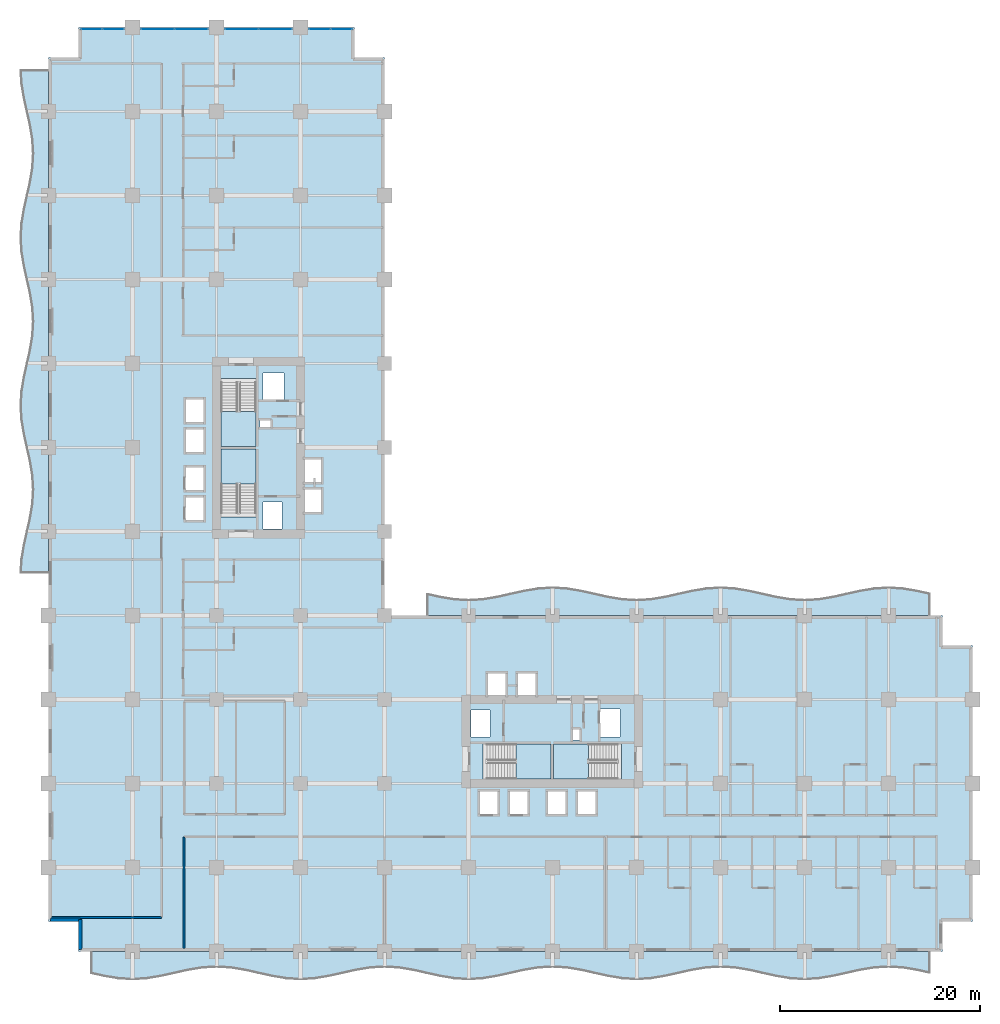
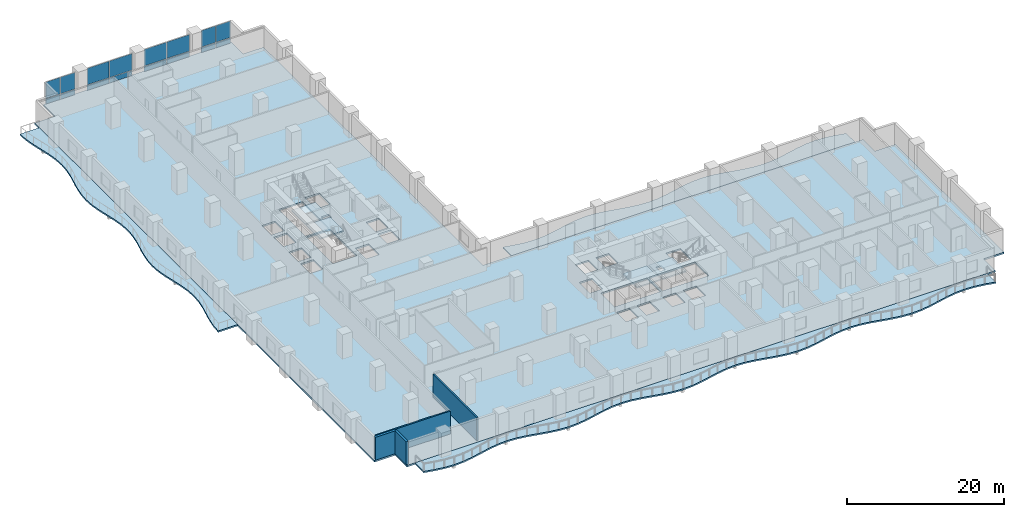
# One storey, part 6 of 21: 16 plates, 8 slabs, 4 walls, 8 elements without a shape of their own.
"""IFC4 building model written with IfcOpenShell, lengths in metres."""

from ifc_helpers import new_model, si_unit, direction, frame, frame_2d, origin, origin_2d, place, context, subcontext, project, spatial, polyline, rectangle, outline, extrude, material, layer, layer_set, type_object, element, aggregate, save


model = new_model("IFC4")

# Units and contexts
model_context = context("Model", 3, precision=1e-05, world=origin(), true_north=direction((0.0, 1.0)))
body_context = subcontext(model_context, "Body", "Model", "MODEL_VIEW")
ifc_project = project(units=[si_unit("LENGTHUNIT", "METRE"), si_unit("AREAUNIT", "SQUARE_METRE"), si_unit("VOLUMEUNIT", "CUBIC_METRE"), si_unit("PLANEANGLEUNIT", "RADIAN"), si_unit("MASSUNIT", "GRAM", prefix="KILO")], contexts=[model_context])

# Site, building, storey
site_placement = place(None, origin())
site = spatial("IfcSite", under=ifc_project, at=site_placement, CompositionType="ELEMENT")
building_placement = place(site_placement, origin())
building = spatial("IfcBuilding", under=site, at=building_placement, Name="Koriwani Terraces Tower", CompositionType="ELEMENT")
storey_placement = place(building_placement, frame((0.0, 0.0, 77.60009765625)))
storey = spatial("IfcBuildingStorey", under=building, at=storey_placement, Name="L18", CompositionType="ELEMENT", Elevation=77.60009765625)

# Curtain wall, plates
ifc_material_1 = material(Name="Anodised Bronze Aluminium", Category="aluminium")
ifc_layer_1 = layer(ifc_material_1, 0.179931640625, Name="Anodised Bronze Aluminium")
ifc_layer_set_1 = layer_set([ifc_layer_1], Name="Anodised Bronze Aluminium")
curtain_wall_type = type_object("IfcCurtainWallType", Name="CW_HOTEL_ZONE1", PredefinedType="NOTDEFINED", material=ifc_layer_set_1)
curtain_wall_1_placement = place(storey_placement, origin())
curtain_wall_1 = element("IfcCurtainWall", 1, at=curtain_wall_1_placement, inside=storey, type_object=curtain_wall_type, Name="L18 Unitised Curtain Wall (N_TIP) Bay 1", PredefinedType="NOTDEFINED")
ifc_material_2 = material(Name="Tempered Laminated Low-E Glass", Category="glass")
ifc_layer_2 = layer(ifc_material_2, 0.028076171875, Name="Tempered Laminated Low-E Glass")
ifc_layer_set_2 = layer_set([ifc_layer_2], Name="Tempered Laminated Low-E Glass")
plate_type = type_object("IfcPlateType", Name="CW_PANEL_VISION_28", PredefinedType="CURTAIN_PANEL", material=ifc_layer_set_2)
plate_1_placement = place(storey_placement, frame((4.297607421875, 92.22509765625, 0.06494140625), z_axis=(0.0, 0.0, 1.0), x_axis=(1.0, 0.0, 0.0)))
plate_1 = element("IfcPlate", 2, at=plate_1_placement, type_object=plate_type, Name="CW-Z1 panel 1.1", PredefinedType="CURTAIN_PANEL", context=body_context, shape_type="SweptSolid", body=[
    extrude(rectangle(XDim=2.094970703125, YDim=0.028076171875, at=origin_2d()), origin(), (0.0, 0.0, 1.0), 0.802490234375),
])
plate_2_placement = place(storey_placement, frame((4.297607421875, 92.22509765625, 0.9326171875), z_axis=(0.0, 0.0, 1.0), x_axis=(1.0, 0.0, 0.0)))
plate_2 = element("IfcPlate", 3, at=plate_2_placement, type_object=plate_type, Name="CW-Z1 panel 1.2", PredefinedType="CURTAIN_PANEL", context=body_context, shape_type="SweptSolid", body=[
    extrude(rectangle(XDim=2.094970703125, YDim=0.028076171875, at=origin_2d()), origin(), (0.0, 0.0, 1.0), 2.552490234375),
])
plate_3_placement = place(storey_placement, frame((6.467529296875, 92.22509765625, 0.06494140625), z_axis=(0.0, 0.0, 1.0), x_axis=(1.0, 0.0, 0.0)))
plate_3 = element("IfcPlate", 4, at=plate_3_placement, type_object=plate_type, Name="CW-Z1 panel 2.1", PredefinedType="CURTAIN_PANEL", context=body_context, shape_type="SweptSolid", body=[
    extrude(rectangle(XDim=2.094970703125, YDim=0.028076171875, at=origin_2d()), origin(), (0.0, 0.0, 1.0), 0.802490234375),
])
plate_4_placement = place(storey_placement, frame((6.467529296875, 92.22509765625, 0.9326171875), z_axis=(0.0, 0.0, 1.0), x_axis=(1.0, 0.0, 0.0)))
plate_4 = element("IfcPlate", 5, at=plate_4_placement, type_object=plate_type, Name="CW-Z1 panel 2.2", PredefinedType="CURTAIN_PANEL", context=body_context, shape_type="SweptSolid", body=[
    extrude(rectangle(XDim=2.094970703125, YDim=0.028076171875, at=origin_2d()), origin(), (0.0, 0.0, 1.0), 2.552490234375),
])
aggregate(curtain_wall_1, [plate_1, plate_2, plate_3, plate_4])

curtain_wall_2_placement = place(storey_placement, origin())
curtain_wall_2 = element("IfcCurtainWall", 6, at=curtain_wall_2_placement, inside=storey, type_object=curtain_wall_type, Name="L18 Unitised Curtain Wall (N_TIP) Bay 2", PredefinedType="NOTDEFINED")
plate_5_placement = place(storey_placement, frame((10.923828125, 92.22509765625, 0.06494140625), z_axis=(0.0, 0.0, 1.0), x_axis=(1.0, 0.0, 0.0)))
plate_5 = element("IfcPlate", 7, at=plate_5_placement, type_object=plate_type, Name="CW-Z1 panel 1.1", PredefinedType="CURTAIN_PANEL", context=body_context, shape_type="SweptSolid", body=[
    extrude(rectangle(XDim=3.277587890625, YDim=0.028076171875, at=origin_2d()), origin(), (0.0, 0.0, 1.0), 0.802490234375),
])
plate_6_placement = place(storey_placement, frame((10.923828125, 92.22509765625, 0.9326171875), z_axis=(0.0, 0.0, 1.0), x_axis=(1.0, 0.0, 0.0)))
plate_6 = element("IfcPlate", 8, at=plate_6_placement, type_object=plate_type, Name="CW-Z1 panel 1.2", PredefinedType="CURTAIN_PANEL", context=body_context, shape_type="SweptSolid", body=[
    extrude(rectangle(XDim=3.277587890625, YDim=0.028076171875, at=origin_2d()), origin(), (0.0, 0.0, 1.0), 2.552490234375),
])
plate_7_placement = place(storey_placement, frame((14.2763671875, 92.22509765625, 0.06494140625), z_axis=(0.0, 0.0, 1.0), x_axis=(1.0, 0.0, 0.0)))
plate_7 = element("IfcPlate", 9, at=plate_7_placement, type_object=plate_type, Name="CW-Z1 panel 2.1", PredefinedType="CURTAIN_PANEL", context=body_context, shape_type="SweptSolid", body=[
    extrude(rectangle(XDim=3.277587890625, YDim=0.028076171875, at=origin_2d()), origin(), (0.0, 0.0, 1.0), 0.802490234375),
])
plate_8_placement = place(storey_placement, frame((14.2763671875, 92.22509765625, 0.9326171875), z_axis=(0.0, 0.0, 1.0), x_axis=(1.0, 0.0, 0.0)))
plate_8 = element("IfcPlate", 10, at=plate_8_placement, type_object=plate_type, Name="CW-Z1 panel 2.2", PredefinedType="CURTAIN_PANEL", context=body_context, shape_type="SweptSolid", body=[
    extrude(rectangle(XDim=3.277587890625, YDim=0.028076171875, at=origin_2d()), origin(), (0.0, 0.0, 1.0), 2.552490234375),
])
aggregate(curtain_wall_2, [plate_5, plate_6, plate_7, plate_8])

curtain_wall_3_placement = place(storey_placement, origin())
curtain_wall_3 = element("IfcCurtainWall", 11, at=curtain_wall_3_placement, inside=storey, type_object=curtain_wall_type, Name="L18 Unitised Curtain Wall (N_TIP) Bay 3", PredefinedType="NOTDEFINED")
plate_9_placement = place(storey_placement, frame((19.32373046875, 92.22509765625, 0.06494140625), z_axis=(0.0, 0.0, 1.0), x_axis=(1.0, 0.0, 0.0)))
plate_9 = element("IfcPlate", 12, at=plate_9_placement, type_object=plate_type, Name="CW-Z1 panel 1.1", PredefinedType="CURTAIN_PANEL", context=body_context, shape_type="SweptSolid", body=[
    extrude(rectangle(XDim=3.277587890625, YDim=0.028076171875, at=origin_2d()), origin(), (0.0, 0.0, 1.0), 0.802490234375),
])
plate_10_placement = place(storey_placement, frame((19.32373046875, 92.22509765625, 0.9326171875), z_axis=(0.0, 0.0, 1.0), x_axis=(1.0, 0.0, 0.0)))
plate_10 = element("IfcPlate", 13, at=plate_10_placement, type_object=plate_type, Name="CW-Z1 panel 1.2", PredefinedType="CURTAIN_PANEL", context=body_context, shape_type="SweptSolid", body=[
    extrude(rectangle(XDim=3.277587890625, YDim=0.028076171875, at=origin_2d()), origin(), (0.0, 0.0, 1.0), 2.552490234375),
])
plate_11_placement = place(storey_placement, frame((22.67626953125, 92.22509765625, 0.06494140625), z_axis=(0.0, 0.0, 1.0), x_axis=(1.0, 0.0, 0.0)))
plate_11 = element("IfcPlate", 14, at=plate_11_placement, type_object=plate_type, Name="CW-Z1 panel 2.1", PredefinedType="CURTAIN_PANEL", context=body_context, shape_type="SweptSolid", body=[
    extrude(rectangle(XDim=3.277587890625, YDim=0.028076171875, at=origin_2d()), origin(), (0.0, 0.0, 1.0), 0.802490234375),
])
plate_12_placement = place(storey_placement, frame((22.67626953125, 92.22509765625, 0.9326171875), z_axis=(0.0, 0.0, 1.0), x_axis=(1.0, 0.0, 0.0)))
plate_12 = element("IfcPlate", 15, at=plate_12_placement, type_object=plate_type, Name="CW-Z1 panel 2.2", PredefinedType="CURTAIN_PANEL", context=body_context, shape_type="SweptSolid", body=[
    extrude(rectangle(XDim=3.277587890625, YDim=0.028076171875, at=origin_2d()), origin(), (0.0, 0.0, 1.0), 2.552490234375),
])
aggregate(curtain_wall_3, [plate_9, plate_10, plate_11, plate_12])

curtain_wall_4_placement = place(storey_placement, origin())
curtain_wall_4 = element("IfcCurtainWall", 16, at=curtain_wall_4_placement, inside=storey, type_object=curtain_wall_type, Name="L18 Unitised Curtain Wall (N_TIP) Bay 4", PredefinedType="NOTDEFINED")
plate_13_placement = place(storey_placement, frame((27.132568359375, 92.22509765625, 0.06494140625), z_axis=(0.0, 0.0, 1.0), x_axis=(1.0, 0.0, 0.0)))
plate_13 = element("IfcPlate", 17, at=plate_13_placement, type_object=plate_type, Name="CW-Z1 panel 1.1", PredefinedType="CURTAIN_PANEL", context=body_context, shape_type="SweptSolid", body=[
    extrude(rectangle(XDim=2.094970703125, YDim=0.028076171875, at=origin_2d()), origin(), (0.0, 0.0, 1.0), 0.802490234375),
])
plate_14_placement = place(storey_placement, frame((27.132568359375, 92.22509765625, 0.9326171875), z_axis=(0.0, 0.0, 1.0), x_axis=(1.0, 0.0, 0.0)))
plate_14 = element("IfcPlate", 18, at=plate_14_placement, type_object=plate_type, Name="CW-Z1 panel 1.2", PredefinedType="CURTAIN_PANEL", context=body_context, shape_type="SweptSolid", body=[
    extrude(rectangle(XDim=2.094970703125, YDim=0.028076171875, at=origin_2d()), origin(), (0.0, 0.0, 1.0), 2.552490234375),
])
plate_15_placement = place(storey_placement, frame((29.302490234375, 92.22509765625, 0.06494140625), z_axis=(0.0, 0.0, 1.0), x_axis=(1.0, 0.0, 0.0)))
plate_15 = element("IfcPlate", 19, at=plate_15_placement, type_object=plate_type, Name="CW-Z1 panel 2.1", PredefinedType="CURTAIN_PANEL", context=body_context, shape_type="SweptSolid", body=[
    extrude(rectangle(XDim=2.094970703125, YDim=0.028076171875, at=origin_2d()), origin(), (0.0, 0.0, 1.0), 0.802490234375),
])
plate_16_placement = place(storey_placement, frame((29.302490234375, 92.22509765625, 0.9326171875), z_axis=(0.0, 0.0, 1.0), x_axis=(1.0, 0.0, 0.0)))
plate_16 = element("IfcPlate", 20, at=plate_16_placement, type_object=plate_type, Name="CW-Z1 panel 2.2", PredefinedType="CURTAIN_PANEL", context=body_context, shape_type="SweptSolid", body=[
    extrude(rectangle(XDim=2.094970703125, YDim=0.028076171875, at=origin_2d()), origin(), (0.0, 0.0, 1.0), 2.552490234375),
])
aggregate(curtain_wall_4, [plate_13, plate_14, plate_15, plate_16])

# Slabs
ifc_material_3 = material(Name="Concrete C40/50", Category="concrete")
ifc_layer_3 = layer(ifc_material_3, 0.219970703125, Name="Concrete C40/50")
ifc_layer_set_3 = layer_set([ifc_layer_3], Name="Concrete C40/50")
slab_type_1 = type_object("IfcSlabType", Name="SLAB_BALCONY_220", PredefinedType="FLOOR", material=ifc_layer_set_3)
slab_1_placement = place(storey_placement, frame((0.0, 0.0, -0.22021484375)))
element("IfcSlab", 21, at=slab_1_placement, inside=storey, type_object=slab_type_1, Name="L18 Quilted Circular-Arc Balcony (S)", PredefinedType="FLOOR", context=body_context, shape_type="SweptSolid", body=[
    extrude(outline(polyline([(4.199951171875, 0.0), (5.60009765625, 0.0), (7.0, 0.0), (8.39990234375, 0.0), (9.800048828125, 0.0), (11.199951171875, 0.0), (12.60009765625, 0.0), (14.0, 0.0), (15.39990234375, 0.0), (16.800048828125, 0.0), (18.199951171875, 0.0), (19.60009765625, 0.0), (21.0, 0.0), (22.39990234375, 0.0), (23.800048828125, 0.0), (25.199951171875, 0.0), (26.60009765625, 0.0), (28.0, 0.0), (29.39990234375, 0.0), (30.800048828125, 0.0), (32.199951171875, 0.0), (33.60009765625, 0.0), (35.0, 0.0), (36.39990234375, 0.0), (37.800048828125, 0.0), (39.199951171875, 0.0), (40.60009765625, 0.0), (42.0, 0.0), (43.39990234375, 0.0), (44.800048828125, 0.0), (46.199951171875, 0.0), (47.60009765625, 0.0), (49.0, 0.0), (50.39990234375, 0.0), (51.800048828125, 0.0), (53.199951171875, 0.0), (54.60009765625, 0.0), (56.0, 0.0), (57.39990234375, 0.0), (58.800048828125, 0.0), (60.199951171875, 0.0), (61.60009765625, 0.0), (63.0, 0.0), (64.39990234375, 0.0), (65.800048828125, 0.0), (67.199951171875, 0.0), (68.60009765625, 0.0), (70.0, 0.0), (71.39990234375, 0.0), (72.800048828125, 0.0), (74.199951171875, 0.0), (75.60009765625, 0.0), (77.0, 0.0), (78.39990234375, 0.0), (79.800048828125, 0.0), (81.199951171875, 0.0), (82.60009765625, 0.0), (84.0, 0.0), (85.39990234375, 0.0), (86.800048828125, 0.0), (88.199951171875, 0.0), (88.199951171875, -2.22509765625), (86.800048828125, -1.91259765625), (85.39990234375, -1.68359375), (84.0, -1.60009765625), (82.60009765625, -1.68359375), (81.199951171875, -1.91259765625), (79.800048828125, -2.22509765625), (78.39990234375, -2.53759765625), (77.0, -2.766357421875), (75.60009765625, -2.85009765625), (74.199951171875, -2.766357421875), (72.800048828125, -2.53759765625), (71.39990234375, -2.22509765625), (70.0, -1.91259765625), (68.60009765625, -1.68359375), (67.199951171875, -1.60009765625), (65.800048828125, -1.68359375), (64.39990234375, -1.91259765625), (63.0, -2.22509765625), (61.60009765625, -2.53759765625), (60.199951171875, -2.766357421875), (58.800048828125, -2.85009765625), (57.39990234375, -2.766357421875), (56.0, -2.53759765625), (54.60009765625, -2.22509765625), (53.199951171875, -1.91259765625), (51.800048828125, -1.68359375), (50.39990234375, -1.60009765625), (49.0, -1.68359375), (47.60009765625, -1.91259765625), (46.199951171875, -2.22509765625), (44.800048828125, -2.53759765625), (43.39990234375, -2.766357421875), (42.0, -2.85009765625), (40.60009765625, -2.766357421875), (39.199951171875, -2.53759765625), (37.800048828125, -2.22509765625), (36.39990234375, -1.91259765625), (35.0, -1.68359375), (33.60009765625, -1.60009765625), (32.199951171875, -1.68359375), (30.800048828125, -1.91259765625), (29.39990234375, -2.22509765625), (28.0, -2.53759765625), (26.60009765625, -2.766357421875), (25.199951171875, -2.85009765625), (23.800048828125, -2.766357421875), (22.39990234375, -2.53759765625), (21.0, -2.22509765625), (19.60009765625, -1.91259765625), (18.199951171875, -1.68359375), (16.800048828125, -1.60009765625), (15.39990234375, -1.68359375), (14.0, -1.91259765625), (12.60009765625, -2.22509765625), (11.199951171875, -2.53759765625), (9.800048828125, -2.766357421875), (8.39990234375, -2.85009765625), (7.0, -2.766357421875), (5.60009765625, -2.53759765625), (4.199951171875, -2.22509765625), (4.199951171875, 0.0)])), origin(), (0.0, 0.0, 1.0), 0.22021484375),
])
slab_2_placement = place(storey_placement, frame((0.0, 0.0, -0.22021484375)))
element("IfcSlab", 22, at=slab_2_placement, inside=storey, type_object=slab_type_1, Name="L18 Quilted Circular-Arc Balcony (W)", PredefinedType="FLOOR", context=body_context, shape_type="SweptSolid", body=[
    extrude(outline(polyline([(0.0, 37.800048828125), (0.0, 39.199951171875), (0.0, 40.60009765625), (0.0, 42.0), (0.0, 43.39990234375), (0.0, 44.800048828125), (0.0, 46.199951171875), (0.0, 47.60009765625), (0.0, 49.0), (0.0, 50.39990234375), (0.0, 51.800048828125), (0.0, 53.199951171875), (0.0, 54.60009765625), (0.0, 56.0), (0.0, 57.39990234375), (0.0, 58.800048828125), (0.0, 60.199951171875), (0.0, 61.60009765625), (0.0, 63.0), (0.0, 64.39990234375), (0.0, 65.800048828125), (0.0, 67.199951171875), (0.0, 68.60009765625), (0.0, 70.0), (0.0, 71.39990234375), (0.0, 72.800048828125), (0.0, 74.199951171875), (0.0, 75.60009765625), (0.0, 77.0), (0.0, 78.39990234375), (0.0, 79.800048828125), (0.0, 81.199951171875), (0.0, 82.60009765625), (0.0, 84.0), (0.0, 85.39990234375), (0.0, 86.800048828125), (0.0, 88.199951171875), (-2.85009765625, 88.199951171875), (-2.766357421875, 86.800048828125), (-2.53759765625, 85.39990234375), (-2.22509765625, 84.0), (-1.91259765625, 82.60009765625), (-1.68359375, 81.199951171875), (-1.60009765625, 79.800048828125), (-1.68359375, 78.39990234375), (-1.91259765625, 77.0), (-2.22509765625, 75.60009765625), (-2.53759765625, 74.199951171875), (-2.766357421875, 72.800048828125), (-2.85009765625, 71.39990234375), (-2.766357421875, 70.0), (-2.53759765625, 68.60009765625), (-2.22509765625, 67.199951171875), (-1.91259765625, 65.800048828125), (-1.68359375, 64.39990234375), (-1.60009765625, 63.0), (-1.68359375, 61.60009765625), (-1.91259765625, 60.199951171875), (-2.22509765625, 58.800048828125), (-2.53759765625, 57.39990234375), (-2.766357421875, 56.0), (-2.85009765625, 54.60009765625), (-2.766357421875, 53.199951171875), (-2.53759765625, 51.800048828125), (-2.22509765625, 50.39990234375), (-1.91259765625, 49.0), (-1.68359375, 47.60009765625), (-1.60009765625, 46.199951171875), (-1.68359375, 44.800048828125), (-1.91259765625, 43.39990234375), (-2.22509765625, 42.0), (-2.53759765625, 40.60009765625), (-2.766357421875, 39.199951171875), (-2.85009765625, 37.800048828125), (0.0, 37.800048828125)])), origin(), (0.0, 0.0, 1.0), 0.22021484375),
])
slab_3_placement = place(storey_placement, frame((0.0, 0.0, -0.22021484375)))
element("IfcSlab", 23, at=slab_3_placement, inside=storey, type_object=slab_type_1, Name="L18 Quilted Circular-Arc Balcony (NE)", PredefinedType="FLOOR", context=body_context, shape_type="SweptSolid", body=[
    extrude(outline(polyline([(88.199951171875, 33.60009765625), (86.800048828125, 33.60009765625), (85.39990234375, 33.60009765625), (84.0, 33.60009765625), (82.60009765625, 33.60009765625), (81.199951171875, 33.60009765625), (79.800048828125, 33.60009765625), (78.39990234375, 33.60009765625), (77.0, 33.60009765625), (75.60009765625, 33.60009765625), (74.199951171875, 33.60009765625), (72.800048828125, 33.60009765625), (71.39990234375, 33.60009765625), (70.0, 33.60009765625), (68.60009765625, 33.60009765625), (67.199951171875, 33.60009765625), (65.800048828125, 33.60009765625), (64.39990234375, 33.60009765625), (63.0, 33.60009765625), (61.60009765625, 33.60009765625), (60.199951171875, 33.60009765625), (58.800048828125, 33.60009765625), (57.39990234375, 33.60009765625), (56.0, 33.60009765625), (54.60009765625, 33.60009765625), (53.199951171875, 33.60009765625), (51.800048828125, 33.60009765625), (50.39990234375, 33.60009765625), (49.0, 33.60009765625), (47.60009765625, 33.60009765625), (46.199951171875, 33.60009765625), (44.800048828125, 33.60009765625), (43.39990234375, 33.60009765625), (42.0, 33.60009765625), (40.60009765625, 33.60009765625), (39.199951171875, 33.60009765625), (37.800048828125, 33.60009765625), (37.800048828125, 35.824951171875), (39.199951171875, 35.512451171875), (40.60009765625, 35.28369140625), (42.0, 35.199951171875), (43.39990234375, 35.28369140625), (44.800048828125, 35.512451171875), (46.199951171875, 35.824951171875), (47.60009765625, 36.137451171875), (49.0, 36.3662109375), (50.39990234375, 36.449951171875), (51.800048828125, 36.3662109375), (53.199951171875, 36.137451171875), (54.60009765625, 35.824951171875), (56.0, 35.512451171875), (57.39990234375, 35.28369140625), (58.800048828125, 35.199951171875), (60.199951171875, 35.28369140625), (61.60009765625, 35.512451171875), (63.0, 35.824951171875), (64.39990234375, 36.137451171875), (65.800048828125, 36.3662109375), (67.199951171875, 36.449951171875), (68.60009765625, 36.3662109375), (70.0, 36.137451171875), (71.39990234375, 35.824951171875), (72.800048828125, 35.512451171875), (74.199951171875, 35.28369140625), (75.60009765625, 35.199951171875), (77.0, 35.28369140625), (78.39990234375, 35.512451171875), (79.800048828125, 35.824951171875), (81.199951171875, 36.137451171875), (82.60009765625, 36.3662109375), (84.0, 36.449951171875), (85.39990234375, 36.3662109375), (86.800048828125, 36.137451171875), (88.199951171875, 35.824951171875), (88.199951171875, 33.60009765625)])), origin(), (0.0, 0.0, 1.0), 0.22021484375),
])

# Stair, slab
stair_type = type_object("IfcStairType", Name="STAIR_CORE_DOGLEG_1650", PredefinedType="TWO_STRAIGHT_RUN_STAIR", material=ifc_material_3)
stair_1_placement = place(storey_placement, origin())
stair_1 = element("IfcStair", 24, at=stair_1_placement, inside=storey, type_object=stair_type, Name="L18 West Core Exit Stair 1", PredefinedType="HALF_TURN_STAIR")
ifc_layer_4 = layer(ifc_material_3, 0.199951171875, Name="Concrete C40/50")
ifc_layer_set_4 = layer_set([ifc_layer_4], Name="Concrete C40/50")
slab_type_2 = type_object("IfcSlabType", Name="SLAB_STAIR_LANDING_200", PredefinedType="LANDING", material=ifc_layer_set_4)
slab_4_placement = place(storey_placement, frame((0.0, 0.0, 1.699951171875)))
slab_4 = element("IfcSlab", 25, at=slab_4_placement, type_object=slab_type_2, Name="ST-W1 landing 1", PredefinedType="LANDING", context=body_context, shape_type="SweptSolid", body=[
    extrude(outline(polyline([(20.75, 46.75), (20.75, 50.25), (17.25, 50.25), (17.25, 46.75), (20.75, 46.75)])), origin(), (0.0, 0.0, 1.0), 0.199951171875),
])
aggregate(stair_1, [slab_4])

stair_2_placement = place(storey_placement, origin())
stair_2 = element("IfcStair", 26, at=stair_2_placement, inside=storey, type_object=stair_type, Name="L18 West Core Exit Stair 2", PredefinedType="HALF_TURN_STAIR")
slab_5_placement = place(storey_placement, frame((0.0, 0.0, 1.699951171875)))
slab_5 = element("IfcSlab", 27, at=slab_5_placement, type_object=slab_type_2, Name="ST-W2 landing 1", PredefinedType="LANDING", context=body_context, shape_type="SweptSolid", body=[
    extrude(outline(polyline([(17.25, 54.0), (17.25, 50.5), (20.75, 50.5), (20.75, 54.0), (17.25, 54.0)])), origin(), (0.0, 0.0, 1.0), 0.199951171875),
])
aggregate(stair_2, [slab_5])

stair_3_placement = place(storey_placement, origin())
stair_3 = element("IfcStair", 28, at=stair_3_placement, inside=storey, type_object=stair_type, Name="L18 East Core Exit Stair 1", PredefinedType="HALF_TURN_STAIR")
slab_6_placement = place(storey_placement, frame((0.0, 0.0, 1.699951171875)))
slab_6 = element("IfcSlab", 29, at=slab_6_placement, type_object=slab_type_2, Name="ST-E1 landing 1", PredefinedType="LANDING", context=body_context, shape_type="SweptSolid", body=[
    extrude(outline(polyline([(46.75, 17.25), (50.25, 17.25), (50.25, 20.75), (46.75, 20.75), (46.75, 17.25)])), origin(), (0.0, 0.0, 1.0), 0.199951171875),
])
aggregate(stair_3, [slab_6])

stair_4_placement = place(storey_placement, origin())
stair_4 = element("IfcStair", 30, at=stair_4_placement, inside=storey, type_object=stair_type, Name="L18 East Core Exit Stair 2", PredefinedType="HALF_TURN_STAIR")
slab_7_placement = place(storey_placement, frame((0.0, 0.0, 1.699951171875)))
slab_7 = element("IfcSlab", 31, at=slab_7_placement, type_object=slab_type_2, Name="ST-E2 landing 1", PredefinedType="LANDING", context=body_context, shape_type="SweptSolid", body=[
    extrude(outline(polyline([(54.0, 20.75), (50.5, 20.75), (50.5, 17.25), (54.0, 17.25), (54.0, 20.75)])), origin(), (0.0, 0.0, 1.0), 0.199951171875),
])
aggregate(stair_4, [slab_7])

# Slab
ifc_layer_5 = layer(ifc_material_3, 0.25, Name="Concrete C40/50")
ifc_layer_set_5 = layer_set([ifc_layer_5], Name="Concrete C40/50")
slab_type_3 = type_object("IfcSlabType", Name="SLAB_TOWER_TYP_250", PredefinedType="FLOOR", material=ifc_layer_set_5)
slab_8_placement = place(storey_placement, frame((0.0, 0.0, -0.25)))
element("IfcSlab", 32, at=slab_8_placement, inside=storey, type_object=slab_type_3, Name="L18 Structural Floor Slab", PredefinedType="FLOOR", context=body_context, shape_type="SweptSolid", body=[
    extrude(outline(polyline([(3.0, 0.0), (89.39990234375, 0.0), (89.39990234375, 3.0), (92.39990234375, 3.0), (92.39990234375, 30.60009765625), (89.39990234375, 30.60009765625), (89.39990234375, 33.60009765625), (33.60009765625, 33.60009765625), (33.60009765625, 89.39990234375), (30.60009765625, 89.39990234375), (30.60009765625, 92.39990234375), (3.0, 92.39990234375), (3.0, 89.39990234375), (0.0, 89.39990234375), (0.0, 3.0), (3.0, 3.0), (3.0, 0.0)]), holes=[polyline([(17.25, 43.4599609375), (20.75, 43.4599609375), (20.75, 50.25), (17.25, 50.25), (17.25, 43.4599609375)]), polyline([(17.25, 50.5), (20.75, 50.5), (20.75, 57.2900390625), (17.25, 57.2900390625), (17.25, 50.5)]), polyline([(43.4599609375, 17.25), (50.25, 17.25), (50.25, 20.75), (43.4599609375, 20.75), (43.4599609375, 17.25)]), polyline([(50.5, 17.25), (57.2900390625, 17.25), (57.2900390625, 20.75), (50.5, 20.75), (50.5, 17.25)]), polyline([(13.64990234375, 43.050048828125), (15.550048828125, 43.050048828125), (15.550048828125, 45.449951171875), (13.64990234375, 45.449951171875), (13.64990234375, 43.050048828125)]), polyline([(13.64990234375, 46.050048828125), (15.550048828125, 46.050048828125), (15.550048828125, 48.449951171875), (13.64990234375, 48.449951171875), (13.64990234375, 46.050048828125)]), polyline([(43.050048828125, 13.64990234375), (44.949951171875, 13.64990234375), (44.949951171875, 16.050048828125), (43.050048828125, 16.050048828125), (43.050048828125, 13.64990234375)]), polyline([(46.050048828125, 13.64990234375), (47.949951171875, 13.64990234375), (47.949951171875, 16.050048828125), (46.050048828125, 16.050048828125), (46.050048828125, 13.64990234375)]), polyline([(13.64990234375, 49.85009765625), (15.550048828125, 49.85009765625), (15.550048828125, 52.25), (13.64990234375, 52.25), (13.64990234375, 49.85009765625)]), polyline([(13.64990234375, 52.85009765625), (15.550048828125, 52.85009765625), (15.550048828125, 55.25), (13.64990234375, 55.25), (13.64990234375, 52.85009765625)]), polyline([(49.85009765625, 13.64990234375), (51.75, 13.64990234375), (51.75, 16.050048828125), (49.85009765625, 16.050048828125), (49.85009765625, 13.64990234375)]), polyline([(52.85009765625, 13.64990234375), (54.75, 13.64990234375), (54.75, 16.050048828125), (52.85009765625, 16.050048828125), (52.85009765625, 13.64990234375)]), polyline([(25.449951171875, 43.85009765625), (27.35009765625, 43.85009765625), (27.35009765625, 46.25), (25.449951171875, 46.25), (25.449951171875, 43.85009765625)]), polyline([(25.449951171875, 46.85009765625), (27.35009765625, 46.85009765625), (27.35009765625, 49.25), (25.449951171875, 49.25), (25.449951171875, 46.85009765625)]), polyline([(43.85009765625, 25.449951171875), (45.75, 25.449951171875), (45.75, 27.85009765625), (43.85009765625, 27.85009765625), (43.85009765625, 25.449951171875)]), polyline([(46.85009765625, 25.449951171875), (48.75, 25.449951171875), (48.75, 27.85009765625), (46.85009765625, 27.85009765625), (46.85009765625, 25.449951171875)]), polyline([(21.449951171875, 55.050048828125), (23.550048828125, 55.050048828125), (23.550048828125, 57.85009765625), (21.449951171875, 57.85009765625), (21.449951171875, 55.050048828125)]), polyline([(55.050048828125, 21.449951171875), (57.14990234375, 21.449951171875), (57.14990234375, 24.25), (55.050048828125, 24.25), (55.050048828125, 21.449951171875)]), polyline([(21.449951171875, 42.25), (23.35009765625, 42.25), (23.35009765625, 44.949951171875), (21.449951171875, 44.949951171875), (21.449951171875, 42.25)]), polyline([(42.25, 21.449951171875), (44.14990234375, 21.449951171875), (44.14990234375, 24.14990234375), (42.25, 24.14990234375), (42.25, 21.449951171875)]), polyline([(21.14990234375, 52.419921875), (22.219970703125, 52.419921875), (22.219970703125, 53.179931640625), (21.14990234375, 53.179931640625), (21.14990234375, 52.419921875)]), polyline([(52.419921875, 21.14990234375), (53.179931640625, 21.14990234375), (53.179931640625, 22.219970703125), (52.419921875, 22.219970703125), (52.419921875, 21.14990234375)])]), origin(), (0.0, 0.0, 1.0), 0.25),
])

# Walls
ifc_material_4 = material(Name="Autoclaved Cellular Concrete Blockwork", Category="masonry")
ifc_layer_6 = layer(ifc_material_4, 0.219970703125, Name="Autoclaved Cellular Concrete Blockwork")
ifc_layer_set_6 = layer_set([ifc_layer_6], Name="Autoclaved Cellular Concrete Blockwork")
wall_type_1 = type_object("IfcWallType", Name="WALL_DEMISING_220", PredefinedType="PARTITIONING", material=ifc_layer_set_6)
wall_1_placement = place(storey_placement, frame((0.300048828125, 3.39990234375, 0.0), z_axis=(0.0, 0.0, 1.0), x_axis=(1.0, 0.0, 0.0)))
element("IfcWall", 33, at=wall_1_placement, inside=storey, type_object=wall_type_1, Name="L18 Interior Wall WZ1NWCLS-L18", PredefinedType="PARTITIONING", context=body_context, shape_type="SweptSolid", body=[
    extrude(rectangle(XDim=11.0, YDim=0.219970703125, at=frame_2d((5.5, 0.0))), origin(), (0.0, 0.0, 1.0), 3.5498046875),
])
wall_2_placement = place(storey_placement, frame((13.550048828125, 0.300048828125, 0.0), z_axis=(0.0, 0.0, 1.0), x_axis=(0.0, 1.0, 0.0)))
element("IfcWall", 34, at=wall_2_placement, inside=storey, type_object=wall_type_1, Name="L18 Interior Wall WZ1CLBW-L18", PredefinedType="PARTITIONING", context=body_context, shape_type="SweptSolid", body=[
    extrude(rectangle(XDim=11.14990234375, YDim=0.219970703125, at=frame_2d((5.574951171875, 0.0))), origin(), (0.0, 0.0, 1.0), 3.5498046875),
])
ifc_material_5 = material(Name="Concrete C50/60", Category="concrete")
ifc_layer_7 = layer(ifc_material_5, 0.35009765625, Name="Concrete C50/60")
ifc_layer_set_7 = layer_set([ifc_layer_7], Name="Concrete C50/60")
wall_type_2 = type_object("IfcWallType", Name="WALL_EXT_BRUTALIST_350", PredefinedType="STANDARD", material=ifc_layer_set_7)
for number, where, z_axis, x_axis, name in (
    (35, (3.175048828125, 0.175048828125, 0.0), (0.0, 0.0, 1.0), (0.0, 1.0, 0.0), "L18 Fair-Faced Brutalist Exterior Wall (N0)"),
    (36, (3.175048828125, 3.175048828125, 0.0), (0.0, 0.0, 1.0), (-1.0, 0.0, 0.0), "L18 Fair-Faced Brutalist Exterior Wall (N1)"),
):
    element("IfcWall", number, at=place(storey_placement, frame(where, z_axis=z_axis, x_axis=x_axis)), inside=storey, type_object=wall_type_2, Name=name, PredefinedType="STANDARD", context=body_context, shape_type="SweptSolid", body=[
        extrude(rectangle(XDim=3.0, YDim=0.35009765625, at=frame_2d((1.5, 0.0))), origin(), (0.0, 0.0, 1.0), 3.5498046875),
    ])

save(model, "model.ifc")
